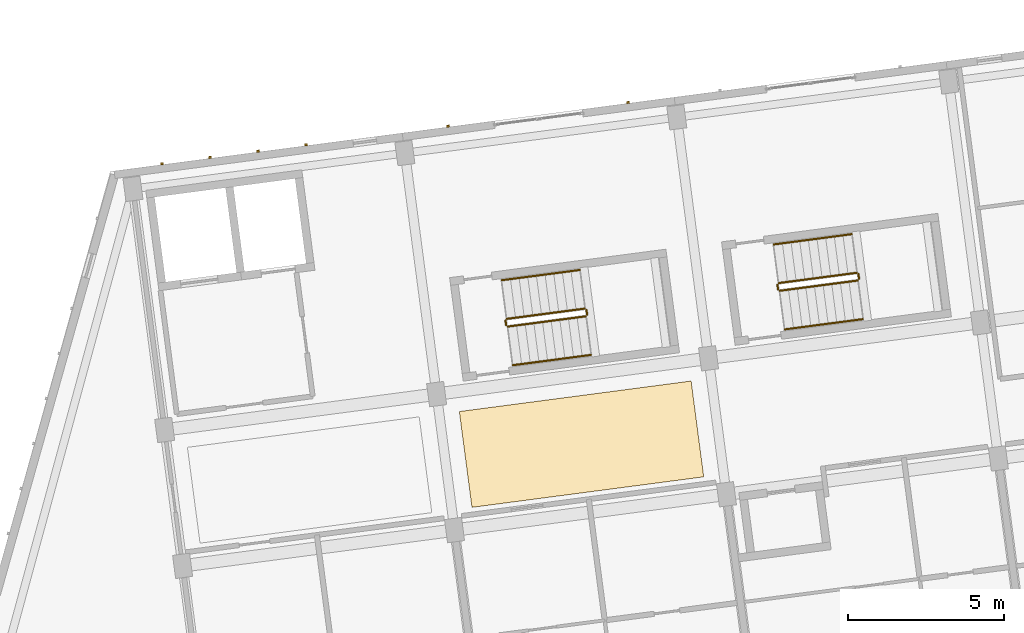
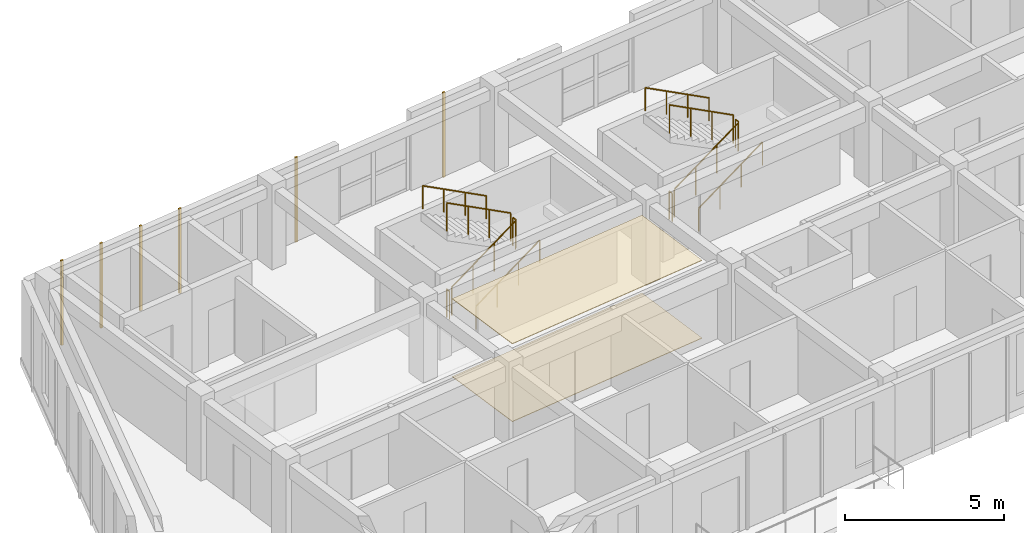
# One storey, part 56 of 74: 12 railings, 8 coverings.
"""IFC4 building model written with IfcOpenShell, lengths in metres."""

from ifc_helpers import new_model, si_unit, direction, frame, origin, origin_2d, place, context, subcontext, project, spatial, polyline, rectangle, circle, outline, extrude, material, layer, layer_set, type_object, element, save


model = new_model("IFC4")

# Units and contexts
model_context = context("Model", 3, precision=1e-05, world=origin(), true_north=direction((0.0, 1.0)))
body_context = subcontext(model_context, "Body", "Model", "MODEL_VIEW")
ifc_project = project(units=[si_unit("LENGTHUNIT", "METRE"), si_unit("AREAUNIT", "SQUARE_METRE"), si_unit("VOLUMEUNIT", "CUBIC_METRE"), si_unit("PLANEANGLEUNIT", "RADIAN"), si_unit("MASSUNIT", "GRAM", prefix="KILO")], contexts=[model_context])

# Site, building, storey
site_placement = place(None, origin())
site = spatial("IfcSite", under=ifc_project, at=site_placement, CompositionType="ELEMENT")
building_placement = place(site_placement, origin())
building = spatial("IfcBuilding", under=site, at=building_placement, Name="Kestramere Prow Commons", CompositionType="ELEMENT")
storey_placement = place(building_placement, frame((0.0, 0.0, 11.64990234375)))
storey = spatial("IfcBuildingStorey", under=building, at=storey_placement, Name="L03", CompositionType="ELEMENT", Elevation=11.64990234375)

# Coverings
ifc_material_1 = material(Name="Mineral Fibre Acoustic Ceiling Tile")
ifc_layer_1 = layer(ifc_material_1, 0.02490234375)
ifc_layer_set_1 = layer_set([ifc_layer_1], Name="Mineral Fibre Acoustic Ceiling Tile")
covering_type_1 = type_object("IfcCoveringType", Name="COV-CEIL-ACOUSTIC", PredefinedType="CEILING", material=ifc_layer_set_1)
covering_1_placement = place(storey_placement, frame((0.0, 0.0, 2.97509765625)))
element("IfcCovering", 1, at=covering_1_placement, inside=storey, type_object=covering_type_1, Name="Block A L03 Corridor Acoustic Ceiling 2", PredefinedType="CEILING", context=body_context, shape_type="SweptSolid", body=[
    extrude(outline(polyline([(19.46630859375, 81.611083984375), (26.902099609375, 82.590087890625), (26.497314453125, 85.66357421875), (19.0615234375, 84.6845703125), (19.46630859375, 81.611083984375)])), origin(), (0.0, 0.0, 1.0), 0.02490234375),
])
ifc_material_2 = material(Name="Weathered Zinc-Titanium Standing-Seam Cladding")
ifc_layer_2 = layer(ifc_material_2, 0.074951171875)
ifc_layer_set_2 = layer_set([ifc_layer_2], Name="Weathered Zinc-Titanium Standing-Seam Cladding")
covering_type_2 = type_object("IfcCoveringType", Name="COV-CLAD-SEAM", PredefinedType="CLADDING", material=ifc_layer_set_2)
for number, where, z_axis, x_axis, name in (
    (2, (9.521484375, 92.635009765625, -0.25), (0.0, 0.0, 1.0), (0.991444861374, 0.13052619222, 0.0), "EW-A-L03-N-0 Standing-Seam Rib 1"),
    (3, (11.062255859375, 92.837890625, -0.25), (0.0, 0.0, 1.0), (0.991444861374, 0.13052619222, 0.0), "EW-A-L03-N-0 Standing-Seam Rib 2"),
    (4, (12.603271484375, 93.040771484375, -0.25), (0.0, 0.0, 1.0), (0.991444861374, 0.13052619222, 0.0), "EW-A-L03-N-0 Standing-Seam Rib 3"),
    (5, (14.14404296875, 93.243408203125, -0.25), (0.0, 0.0, 1.0), (0.991444861374, 0.13052619222, 0.0), "EW-A-L03-N-0 Standing-Seam Rib 4"),
    (6, (18.700439453125, 93.843505859375, -0.25), (0.0, 0.0, 1.0), (0.991444861374, 0.13052619222, 0.0), "EW-A-L03-NP-1-L Standing-Seam Rib 1"),
    (7, (24.4755859375, 94.603759765625, -0.25), (0.0, 0.0, 1.0), (0.991444861374, 0.13052619222, 0.0), "EW-A-L03-NP-1-R Standing-Seam Rib 1"),
):
    element("IfcCovering", number, at=place(storey_placement, frame(where, z_axis=z_axis, x_axis=x_axis)), inside=storey, type_object=covering_type_2, Name=name, PredefinedType="CLADDING", context=body_context, shape_type="SweptSolid", body=[
        extrude(rectangle(XDim=0.0849609375, YDim=0.06494140625, at=origin_2d()), origin(), (0.0, 0.0, 1.0), 3.25),
    ])
ifc_material_3 = material(Name="Honed Cementitious Terrazzo Tile")
ifc_layer_3 = layer(ifc_material_3, 0.02001953125)
ifc_layer_set_3 = layer_set([ifc_layer_3], Name="Honed Cementitious Terrazzo Tile")
covering_type_3 = type_object("IfcCoveringType", Name="COV-FLOOR-TERRAZZO", PredefinedType="FLOORING", material=ifc_layer_set_3)
covering_2_placement = place(storey_placement, origin())
element("IfcCovering", 8, at=covering_2_placement, inside=storey, type_object=covering_type_3, Name="Block A L03 Corridor Terrazzo Flooring 2", PredefinedType="FLOORING", context=body_context, shape_type="SweptSolid", body=[
    extrude(outline(polyline([(19.46630859375, 81.611083984375), (26.902099609375, 82.590087890625), (26.497314453125, 85.66357421875), (19.0615234375, 84.6845703125), (19.46630859375, 81.611083984375)])), origin(), (0.0, 0.0, 1.0), 0.02001953125),
])

# Railings
ifc_material_4 = material(Name="Galvanised Steel S275JR", Category="steel")
railing_type_1 = type_object("IfcRailingType", Name="RL-ST-GR-1100", PredefinedType="GUARDRAIL", material=ifc_material_4)
railing_1_placement = place(storey_placement, frame((20.618896484375, 87.411376953125, 0.16259765625)))
element("IfcRailing", 9, at=railing_1_placement, inside=storey, type_object=railing_type_1, Name="L03 ST-A1 stair guard 1", PredefinedType="GUARDRAIL", context=body_context, shape_type="SweptSolid", body=[
    extrude(circle(Radius=0.02392578125, at=origin_2d()), frame((0.0, 0.0, 1.076171875), z_axis=(0.85752303711, 0.112867259233, 0.501911568525), x_axis=(-0.130494608992, 0.991449018873, 0.0)), (0.0, 0.0, 1.0), 2.91357421875),
    extrude(circle(Radius=0.02099609375, at=origin_2d()), origin(), (0.0, 0.0, 1.0), 1.052001953125),
    extrude(circle(Radius=0.02099609375, at=origin_2d()), frame((0.832763671875, 0.109619140625, 0.487548828125)), (0.0, 0.0, 1.0), 1.052001953125),
    extrude(circle(Radius=0.02099609375, at=origin_2d()), frame((1.665771484375, 0.21923828125, 0.974853515625)), (0.0, 0.0, 1.0), 1.052001953125),
    extrude(circle(Radius=0.02099609375, at=origin_2d()), frame((2.49853515625, 0.328857421875, 1.46240234375)), (0.0, 0.0, 1.0), 1.052001953125),
])
railing_2_placement = place(storey_placement, frame((23.160400390625, 87.79638671875, 1.625)))
element("IfcRailing", 10, at=railing_2_placement, inside=storey, type_object=railing_type_1, Name="L03 ST-A1 stair guard 2", PredefinedType="GUARDRAIL", context=body_context, shape_type="SweptSolid", body=[
    extrude(circle(Radius=0.02392578125, at=origin_2d()), frame((0.0, 0.0, 1.076171875), z_axis=(-0.130243938252, 0.991481979941, 0.0), x_axis=(-0.991481979941, -0.130243938252, 0.0)), (0.0, 0.0, 1.0), 0.14990234375),
    extrude(circle(Radius=0.02099609375, at=origin_2d()), origin(), (0.0, 0.0, 1.0), 1.052001953125),
    extrude(circle(Radius=0.02099609375, at=origin_2d()), frame((-0.01953125, 0.148681640625, 0.0)), (0.0, 0.0, 1.0), 1.052001953125),
])
railing_3_placement = place(storey_placement, frame((23.084716796875, 87.988037109375, 1.78759765625)))
element("IfcRailing", 11, at=railing_3_placement, inside=storey, type_object=railing_type_1, Name="L03 ST-A1 stair guard 3", PredefinedType="GUARDRAIL", context=body_context, shape_type="SweptSolid", body=[
    extrude(circle(Radius=0.02392578125, at=origin_2d()), frame((0.0, 0.0, 1.076171875), z_axis=(-0.857500858922, -0.112875369585, 0.501947634608), x_axis=(0.130507144135, -0.991447368916, 0.0)), (0.0, 0.0, 1.0), 2.91357421875),
    extrude(circle(Radius=0.02099609375, at=origin_2d()), origin(), (0.0, 0.0, 1.0), 1.052001953125),
    extrude(circle(Radius=0.02099609375, at=origin_2d()), frame((-0.832763671875, -0.109619140625, 0.487548828125)), (0.0, 0.0, 1.0), 1.052001953125),
    extrude(circle(Radius=0.02099609375, at=origin_2d()), frame((-1.66552734375, -0.21923828125, 0.974853515625)), (0.0, 0.0, 1.0), 1.052001953125),
    extrude(circle(Radius=0.02099609375, at=origin_2d()), frame((-2.498291015625, -0.328857421875, 1.46240234375)), (0.0, 0.0, 1.0), 1.052001953125),
])
railing_4_placement = place(storey_placement, frame((20.56298828125, 87.454345703125, 0.0)))
element("IfcRailing", 12, at=railing_4_placement, inside=storey, type_object=railing_type_1, Name="L03 ST-A1 stair guard 4", PredefinedType="GUARDRAIL", context=body_context, shape_type="SweptSolid", body=[
    extrude(circle(Radius=0.02392578125, at=origin_2d()), frame((0.0, 0.0, 1.076171875), z_axis=(-0.131843859112, 0.99127049629, 0.0), x_axis=(-0.99127049629, -0.131843859112, 0.0)), (0.0, 0.0, 1.0), 0.14990234375),
    extrude(circle(Radius=0.02099609375, at=origin_2d()), origin(), (0.0, 0.0, 1.0), 1.052001953125),
    extrude(circle(Radius=0.02099609375, at=origin_2d()), frame((-0.019775390625, 0.148681640625, 0.0)), (0.0, 0.0, 1.0), 1.052001953125),
])
railing_5_placement = place(storey_placement, frame((29.34375, 88.559814453125, 0.16259765625)))
element("IfcRailing", 13, at=railing_5_placement, inside=storey, type_object=railing_type_1, Name="L03 ST-A2 stair guard 1", PredefinedType="GUARDRAIL", context=body_context, shape_type="SweptSolid", body=[
    extrude(circle(Radius=0.02392578125, at=origin_2d()), frame((0.0, 0.0, 1.076171875), z_axis=(0.857492745196, 0.112958098361, 0.501942885148), x_axis=(-0.130602379397, 0.991434828164, 0.0)), (0.0, 0.0, 1.0), 2.91357421875),
    extrude(circle(Radius=0.02099609375, at=origin_2d()), origin(), (0.0, 0.0, 1.0), 1.052001953125),
    extrude(circle(Radius=0.02099609375, at=origin_2d()), frame((0.832763671875, 0.109619140625, 0.487548828125)), (0.0, 0.0, 1.0), 1.052001953125),
    extrude(circle(Radius=0.02099609375, at=origin_2d()), frame((1.66552734375, 0.219482421875, 0.974853515625)), (0.0, 0.0, 1.0), 1.052001953125),
    extrude(circle(Radius=0.02099609375, at=origin_2d()), frame((2.498291015625, 0.3291015625, 1.46240234375)), (0.0, 0.0, 1.0), 1.052001953125),
])
railing_6_placement = place(storey_placement, frame((31.88525390625, 88.94482421875, 1.625)))
element("IfcRailing", 14, at=railing_6_placement, inside=storey, type_object=railing_type_1, Name="L03 ST-A2 stair guard 2", PredefinedType="GUARDRAIL", context=body_context, shape_type="SweptSolid", body=[
    extrude(circle(Radius=0.02392578125, at=origin_2d()), frame((0.0, 0.0, 1.076171875), z_axis=(-0.1300340368, 0.991509530601, 0.0), x_axis=(-0.991509530601, -0.1300340368, 0.0)), (0.0, 0.0, 1.0), 0.150146484375),
    extrude(circle(Radius=0.02099609375, at=origin_2d()), origin(), (0.0, 0.0, 1.0), 1.052001953125),
    extrude(circle(Radius=0.02099609375, at=origin_2d()), frame((-0.01953125, 0.14892578125, 0.0)), (0.0, 0.0, 1.0), 1.052001953125),
])
railing_7_placement = place(storey_placement, frame((31.8095703125, 89.13671875, 1.78759765625)))
element("IfcRailing", 15, at=railing_7_placement, inside=storey, type_object=railing_type_1, Name="L03 ST-A2 stair guard 3", PredefinedType="GUARDRAIL", context=body_context, shape_type="SweptSolid", body=[
    extrude(circle(Radius=0.02392578125, at=origin_2d()), frame((0.0, 0.0, 1.076171875), z_axis=(-0.85752303711, -0.112867259233, 0.501911568525), x_axis=(0.130494608992, -0.991449018873, 0.0)), (0.0, 0.0, 1.0), 2.91357421875),
    extrude(circle(Radius=0.02099609375, at=origin_2d()), origin(), (0.0, 0.0, 1.0), 1.052001953125),
    extrude(circle(Radius=0.02099609375, at=origin_2d()), frame((-0.832763671875, -0.109619140625, 0.487548828125)), (0.0, 0.0, 1.0), 1.052001953125),
    extrude(circle(Radius=0.02099609375, at=origin_2d()), frame((-1.665771484375, -0.21923828125, 0.974853515625)), (0.0, 0.0, 1.0), 1.052001953125),
    extrude(circle(Radius=0.02099609375, at=origin_2d()), frame((-2.49853515625, -0.328857421875, 1.46240234375)), (0.0, 0.0, 1.0), 1.052001953125),
])
railing_8_placement = place(storey_placement, frame((29.28759765625, 88.60302734375, 0.0)))
element("IfcRailing", 16, at=railing_8_placement, inside=storey, type_object=railing_type_1, Name="L03 ST-A2 stair guard 4", PredefinedType="GUARDRAIL", context=body_context, shape_type="SweptSolid", body=[
    extrude(circle(Radius=0.02392578125, at=origin_2d()), frame((0.0, 0.0, 1.076171875), z_axis=(-0.130243938252, 0.991481979941, 0.0), x_axis=(-0.991481979941, -0.130243938252, 0.0)), (0.0, 0.0, 1.0), 0.14990234375),
    extrude(circle(Radius=0.02099609375, at=origin_2d()), origin(), (0.0, 0.0, 1.0), 1.052001953125),
    extrude(circle(Radius=0.02099609375, at=origin_2d()), frame((-0.01953125, 0.148681640625, 0.0)), (0.0, 0.0, 1.0), 1.052001953125),
])
ifc_material_5 = material(Name="Stainless Steel 304", Category="steel")
railing_type_2 = type_object("IfcRailingType", Name="RL-ST-HR-900", PredefinedType="HANDRAIL", material=ifc_material_5)
railing_9_placement = place(storey_placement, frame((20.7822265625, 86.171875, 0.3251953125)))
element("IfcRailing", 17, at=railing_9_placement, inside=storey, type_object=railing_type_2, Name="L03 ST-A1 stair handrail 1", PredefinedType="HANDRAIL", context=body_context, shape_type="SweptSolid", body=[
    extrude(circle(Radius=0.02392578125, at=origin_2d()), frame((0.0, 0.0, 0.8759765625), z_axis=(0.857492745196, 0.112958098361, 0.501942885148), x_axis=(-0.130602379397, 0.991434828164, 0.0)), (0.0, 0.0, 1.0), 2.91357421875),
    extrude(circle(Radius=0.02099609375, at=origin_2d()), origin(), (0.0, 0.0, 1.0), 0.851806640625),
    extrude(circle(Radius=0.02099609375, at=origin_2d()), frame((0.832763671875, 0.109619140625, 0.487548828125)), (0.0, 0.0, 1.0), 0.851806640625),
    extrude(circle(Radius=0.02099609375, at=origin_2d()), frame((1.66552734375, 0.219482421875, 0.974853515625)), (0.0, 0.0, 1.0), 0.851806640625),
    extrude(circle(Radius=0.02099609375, at=origin_2d()), frame((2.498291015625, 0.3291015625, 1.46240234375)), (0.0, 0.0, 1.0), 0.851806640625),
])
railing_10_placement = place(storey_placement, frame((22.921630859375, 89.227294921875, 1.9501953125)))
element("IfcRailing", 18, at=railing_10_placement, inside=storey, type_object=railing_type_2, Name="L03 ST-A1 stair handrail 2", PredefinedType="HANDRAIL", context=body_context, shape_type="SweptSolid", body=[
    extrude(circle(Radius=0.02392578125, at=origin_2d()), frame((0.0, 0.0, 0.8759765625), z_axis=(-0.85752303711, -0.112867259233, 0.501911568525), x_axis=(0.130494608992, -0.991449018873, 0.0)), (0.0, 0.0, 1.0), 2.91357421875),
    extrude(circle(Radius=0.02099609375, at=origin_2d()), origin(), (0.0, 0.0, 1.0), 0.851806640625),
    extrude(circle(Radius=0.02099609375, at=origin_2d()), frame((-0.832763671875, -0.109619140625, 0.487548828125)), (0.0, 0.0, 1.0), 0.851806640625),
    extrude(circle(Radius=0.02099609375, at=origin_2d()), frame((-1.665771484375, -0.21923828125, 0.974853515625)), (0.0, 0.0, 1.0), 0.851806640625),
    extrude(circle(Radius=0.02099609375, at=origin_2d()), frame((-2.49853515625, -0.328857421875, 1.46240234375)), (0.0, 0.0, 1.0), 0.851806640625),
])
railing_11_placement = place(storey_placement, frame((29.5068359375, 87.320556640625, 0.3251953125)))
element("IfcRailing", 19, at=railing_11_placement, inside=storey, type_object=railing_type_2, Name="L03 ST-A2 stair handrail 1", PredefinedType="HANDRAIL", context=body_context, shape_type="SweptSolid", body=[
    extrude(circle(Radius=0.02392578125, at=origin_2d()), frame((0.0, 0.0, 0.8759765625), z_axis=(0.85752303711, 0.112867259233, 0.501911568525), x_axis=(-0.130494608992, 0.991449018873, 0.0)), (0.0, 0.0, 1.0), 2.91357421875),
    extrude(circle(Radius=0.02099609375, at=origin_2d()), origin(), (0.0, 0.0, 1.0), 0.851806640625),
    extrude(circle(Radius=0.02099609375, at=origin_2d()), frame((0.832763671875, 0.109619140625, 0.487548828125)), (0.0, 0.0, 1.0), 0.851806640625),
    extrude(circle(Radius=0.02099609375, at=origin_2d()), frame((1.665771484375, 0.21923828125, 0.974853515625)), (0.0, 0.0, 1.0), 0.851806640625),
    extrude(circle(Radius=0.02099609375, at=origin_2d()), frame((2.49853515625, 0.328857421875, 1.46240234375)), (0.0, 0.0, 1.0), 0.851806640625),
])
railing_12_placement = place(storey_placement, frame((31.646484375, 90.3759765625, 1.9501953125)))
element("IfcRailing", 20, at=railing_12_placement, inside=storey, type_object=railing_type_2, Name="L03 ST-A2 stair handrail 2", PredefinedType="HANDRAIL", context=body_context, shape_type="SweptSolid", body=[
    extrude(circle(Radius=0.02392578125, at=origin_2d()), frame((0.0, 0.0, 0.8759765625), z_axis=(-0.85752303711, -0.112867259233, 0.501911568525), x_axis=(0.130494608992, -0.991449018873, 0.0)), (0.0, 0.0, 1.0), 2.91357421875),
    extrude(circle(Radius=0.02099609375, at=origin_2d()), origin(), (0.0, 0.0, 1.0), 0.851806640625),
    extrude(circle(Radius=0.02099609375, at=origin_2d()), frame((-0.832763671875, -0.109619140625, 0.487548828125)), (0.0, 0.0, 1.0), 0.851806640625),
    extrude(circle(Radius=0.02099609375, at=origin_2d()), frame((-1.665771484375, -0.21923828125, 0.974853515625)), (0.0, 0.0, 1.0), 0.851806640625),
    extrude(circle(Radius=0.02099609375, at=origin_2d()), frame((-2.49853515625, -0.328857421875, 1.46240234375)), (0.0, 0.0, 1.0), 0.851806640625),
])

save(model, "model.ifc")
